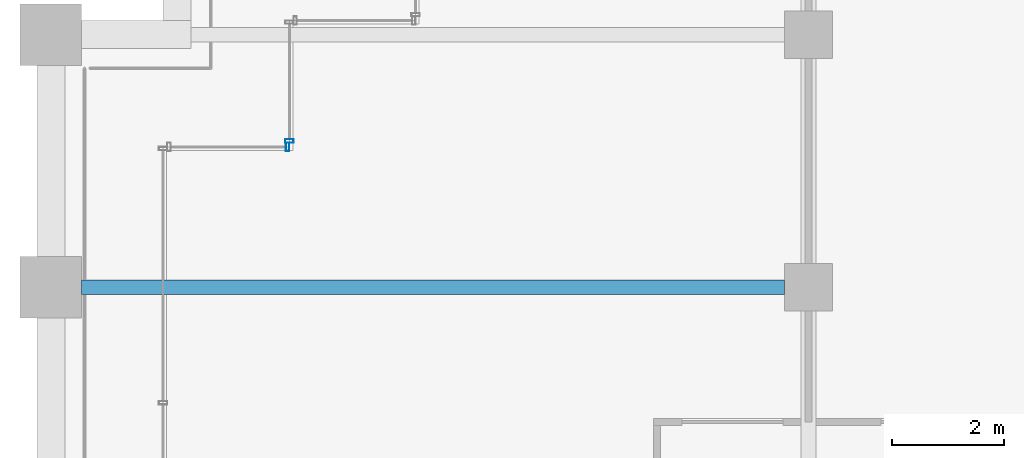
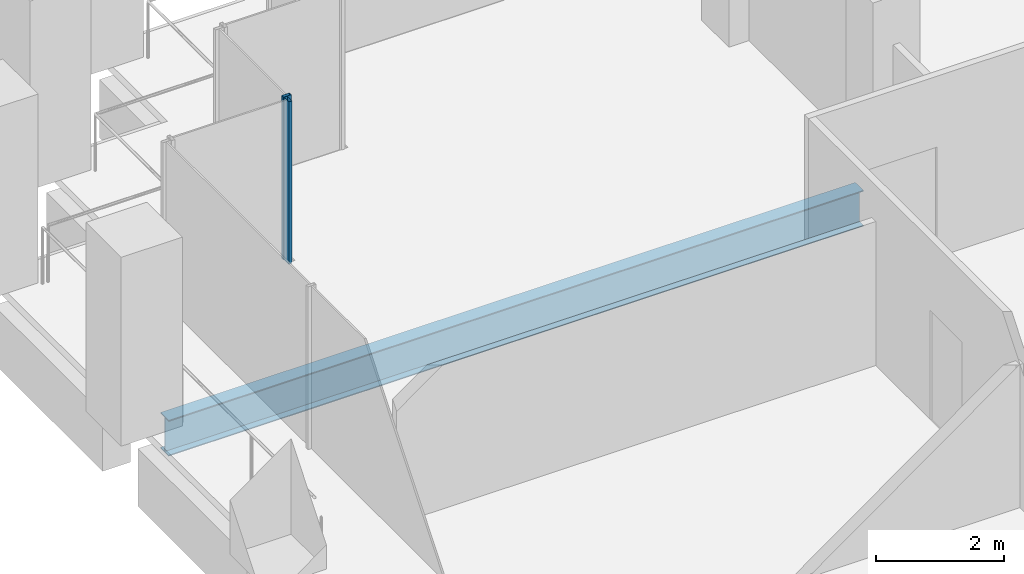
# One storey, part 24 of 56: 2 members, 1 beam, 2 elements without a shape of their own.
"""IFC4 building model written with IfcOpenShell, lengths in metres."""

from ifc_helpers import new_model, si_unit, direction, frame, origin, origin_2d, place, context, subcontext, project, spatial, hollow_rectangle, i_section, extrude, material, material_profile, profile_set, type_object, element, aggregate, save


model = new_model("IFC4")

# Units and contexts
model_context = context("Model", 3, precision=1e-05, world=origin(), true_north=direction((0.0, 1.0)))
body_context = subcontext(model_context, "Body", "Model", "MODEL_VIEW")
ifc_project = project(units=[si_unit("LENGTHUNIT", "METRE"), si_unit("AREAUNIT", "SQUARE_METRE"), si_unit("VOLUMEUNIT", "CUBIC_METRE"), si_unit("PLANEANGLEUNIT", "RADIAN"), si_unit("MASSUNIT", "GRAM", prefix="KILO")], contexts=[model_context])

# Site, building, storey
site_placement = place(None, origin())
site = spatial("IfcSite", under=ifc_project, at=site_placement, CompositionType="ELEMENT")
building_placement = place(site_placement, origin())
building = spatial("IfcBuilding", under=site, at=building_placement, Name="Altepetl Exchange Towers", CompositionType="ELEMENT")
storey_placement = place(building_placement, frame((0.0, 0.0, 51.0)))
storey = spatial("IfcBuildingStorey", under=building, at=storey_placement, Name="L11", CompositionType="ELEMENT", Elevation=51.0)

# Beam
ifc_material_1 = material(Name="Steel S355", Category="steel")
ifc_material_profile_1 = material_profile(ifc_material_1, i_section(OverallWidth=0.25390625, OverallDepth=0.68408203125, WebThickness=0.012451171875, FlangeThickness=0.018798828125, at=origin_2d()), Name="W27X94")
ifc_profile_set_1 = profile_set([ifc_material_profile_1], Name="Steel S355")
beam_type = type_object("IfcBeamType", Name="Floor beam W27X94", PredefinedType="BEAM", material=ifc_profile_set_1)
beam_placement = place(storey_placement, frame((27.550048828125, 63.0, -0.491943359375), z_axis=(1.0, 0.0, 0.0), x_axis=(0.0, 1.0, 0.0)))
element("IfcBeam", 1, at=beam_placement, inside=storey, type_object=beam_type, Name="bm:A:L11:022", PredefinedType="BEAM", context=body_context, shape_type="SweptSolid", body=[
    extrude(i_section(OverallWidth=0.25390625, OverallDepth=0.68408203125, WebThickness=0.012451171875, FlangeThickness=0.018798828125, at=origin_2d()), origin(), (0.0, 0.0, 1.0), 12.52490234375),
])

# Curtain wall, member
ifc_material_2 = material(Name="Aluminium 6063-T6 glazing", Category="aluminium")
curtain_wall_type = type_object("IfcCurtainWallType", Name="Loggia glazing system", PredefinedType="NOTDEFINED", material=ifc_material_2)
curtain_wall_1_placement = place(storey_placement, origin())
curtain_wall_1 = element("IfcCurtainWall", 2, at=curtain_wall_1_placement, inside=storey, type_object=curtain_wall_type, Name="CW1 run", PredefinedType="NOTDEFINED")
ifc_material_3 = material(Name="Aluminium 6063-T6", Category="aluminium")
ifc_material_profile_2 = material_profile(ifc_material_3, hollow_rectangle(XDim=0.06005859375, YDim=0.14990234375, WallThickness=0.0029296875, at=origin_2d()), Name="Mullion 60x150 aluminium")
ifc_profile_set_2 = profile_set([ifc_material_profile_2], Name="Aluminium 6063-T6")
member_type = type_object("IfcMemberType", Name="Mullion 60x150 aluminium", PredefinedType="MULLION", material=ifc_profile_set_2)
member_1_placement = place(storey_placement, frame((31.219970703125, 65.5, 0.0), z_axis=(0.0, 0.0, 1.0), x_axis=(-1.0, 0.0, 0.0)))
member_1 = element("IfcMember", 3, at=member_1_placement, type_object=member_type, Name="MU1 mullion", PredefinedType="MULLION", context=body_context, shape_type="SweptSolid", body=[
    extrude(hollow_rectangle(XDim=0.06005859375, YDim=0.14990234375, WallThickness=0.0029296875, at=origin_2d()), origin(), (0.0, 0.0, 1.0), 3.10009765625),
])
aggregate(curtain_wall_1, [member_1])

curtain_wall_2_placement = place(storey_placement, origin())
curtain_wall_2 = element("IfcCurtainWall", 4, at=curtain_wall_2_placement, inside=storey, type_object=curtain_wall_type, Name="CW1 run", PredefinedType="NOTDEFINED")
member_2_placement = place(storey_placement, frame((31.25, 65.60498046875, 0.0), z_axis=(0.0, 0.0, 1.0), x_axis=(0.0, -1.0, 0.0)))
member_2 = element("IfcMember", 5, at=member_2_placement, type_object=member_type, Name="MU1 mullion", PredefinedType="MULLION", context=body_context, shape_type="SweptSolid", body=[
    extrude(hollow_rectangle(XDim=0.06005859375, YDim=0.14990234375, WallThickness=0.0029296875, at=origin_2d()), origin(), (0.0, 0.0, 1.0), 3.10009765625),
])
aggregate(curtain_wall_2, [member_2])

save(model, "model.ifc")
